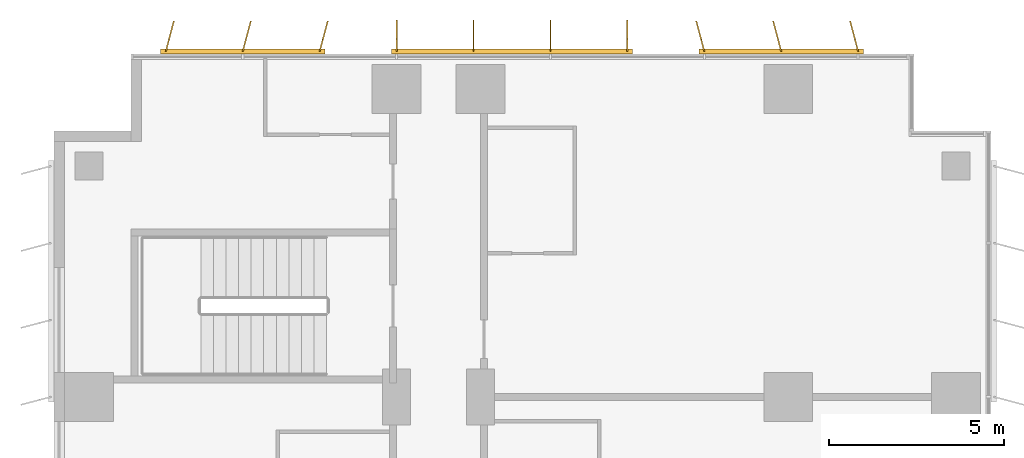
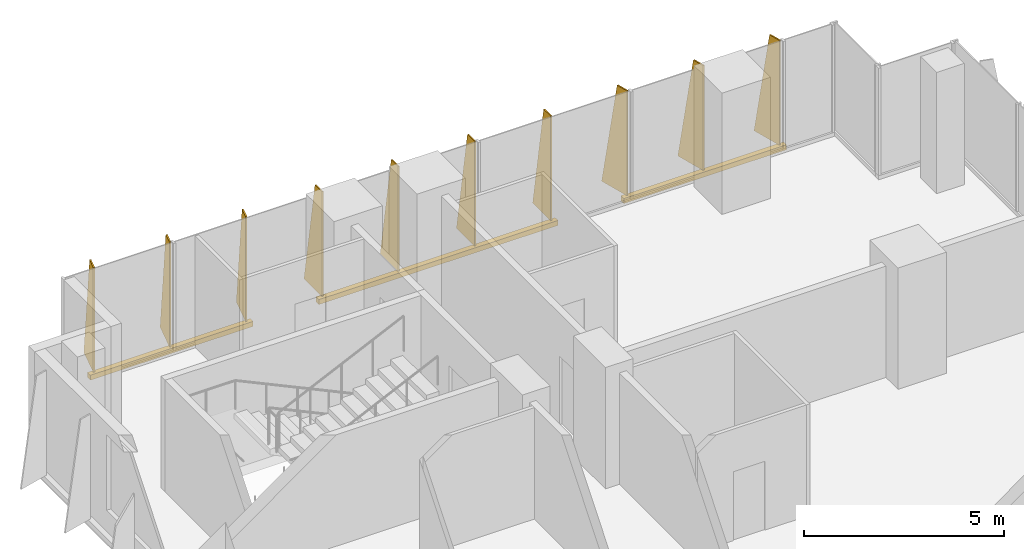
# One storey, part 24 of 24: 3 shading devices.
"""IFC4 building model written with IfcOpenShell, lengths in metres."""

import ifcopenshell
import ifcopenshell.guid

model = None  # the IFC model being written
_history = None  # IfcOwnerHistory: only IFC2X3 demands one
_inside = {}  # id of a spatial element -> (the spatial element, [elements in it])
_under = {}  # id of a project, library or spatial element -> (it, [spatial elements below it])
_declared = {}  # id of a project -> (the project, [libraries it declares])
_typed = {}  # id of a type object -> (the type object, [elements of that type])
_made_of = {}  # id of a material, layer set ... -> (it, [elements and type objects made of it])


def new_model(schema):
    """Start an empty IFC model of exactly this schema.

    Asked for "IFC4X3", IfcOpenShell would pick the latest addendum, in which some entities
    have other attributes; the version numbers below select the first issue.
    IFC2X3 requires an IfcOwnerHistory on every rooted entity: one is made here for all.
    """
    global model, _history
    if schema == "IFC4X3":
        model = ifcopenshell.file(schema_version=(4, 3, 0, 0))
    else:
        model = ifcopenshell.file(schema=schema)
    _inside.clear()
    _under.clear()
    _declared.clear()
    _typed.clear()
    _made_of.clear()
    _history = None
    if model.schema == "IFC2X3":
        org = make("IfcOrganization", Name="unknown")
        user = make(
            "IfcPersonAndOrganization",
            ThePerson=make("IfcPerson", FamilyName="unknown"),
            TheOrganization=org,
        )
        app = make(
            "IfcApplication",
            ApplicationDeveloper=org,
            Version="unknown",
            ApplicationFullName="unknown",
            ApplicationIdentifier="unknown",
        )
        _history = make(
            "IfcOwnerHistory",
            OwningUser=user,
            OwningApplication=app,
            ChangeAction="ADDED",
            CreationDate=0,
        )
    return model


def make(cls, **values):
    """One entity of the class cls with the attributes given. An attribute that is None is left unset."""
    return model.create_entity(
        cls, **{name: value for name, value in values.items() if value is not None}
    )


def rooted(cls, **values):
    """An entity with a GlobalId (a new one), such as an element, a storey or a relation."""
    return make(cls, GlobalId=ifcopenshell.guid.new(), OwnerHistory=_history, **values)


def si_unit(unit_type, name, prefix=None):
    """IfcSIUnit, for example si_unit("LENGTHUNIT", "METRE", prefix="MILLI")."""
    return make("IfcSIUnit", UnitType=unit_type, Prefix=prefix, Name=name)


def assignment(units):
    """IfcUnitAssignment: the units of a project."""
    return None if units is None else make("IfcUnitAssignment", Units=units)


def point(xyz):
    """IfcCartesianPoint."""
    return None if xyz is None else make("IfcCartesianPoint", Coordinates=xyz)


def direction(xyz):
    """IfcDirection."""
    return None if xyz is None else make("IfcDirection", DirectionRatios=xyz)


def frame(location, z_axis=None, x_axis=None):
    """IfcAxis2Placement3D, a coordinate frame: its origin and axes. An axis left out is left unset."""
    return make(
        "IfcAxis2Placement3D",
        Location=point(location),
        Axis=direction(z_axis),
        RefDirection=direction(x_axis),
    )


def frame_2d(location, x_axis=None):
    """IfcAxis2Placement2D, a coordinate frame in the plane: its origin and x axis."""
    return make(
        "IfcAxis2Placement2D", Location=point(location), RefDirection=direction(x_axis)
    )


def origin():
    """The frame at (0, 0, 0) with its axes left unset."""
    return frame((0.0, 0.0, 0.0))


def origin_2d():
    """The frame at (0, 0) in the plane with its x axis left unset."""
    return frame_2d((0.0, 0.0))


def place(relative_to, where):
    """IfcLocalPlacement: puts the frame where relative to a parent placement (None: the world)."""
    return make(
        "IfcLocalPlacement", PlacementRelTo=relative_to, RelativePlacement=where
    )


def context(
    kind, dimensions, precision=None, world=None, true_north=None, identifier=None
):
    """IfcGeometricRepresentationContext, for example the 3D "Model" context."""
    return make(
        "IfcGeometricRepresentationContext",
        ContextIdentifier=identifier,
        ContextType=kind,
        CoordinateSpaceDimension=dimensions,
        Precision=precision,
        WorldCoordinateSystem=world,
        TrueNorth=true_north,
    )


def subcontext(parent, identifier, kind, view, scale=None):
    """IfcGeometricRepresentationSubContext, for example "Body" below "Model"."""
    return make(
        "IfcGeometricRepresentationSubContext",
        ContextIdentifier=identifier,
        ContextType=kind,
        ParentContext=parent,
        TargetScale=scale,
        TargetView=view,
    )


def project(units=None, contexts=None):
    """IfcProject with its units and contexts."""
    return rooted(
        "IfcProject",
        Name="project",
        RepresentationContexts=contexts,
        UnitsInContext=assignment(units),
    )


def spatial(cls, under=None, at=None, **own):
    """A site, building, storey or space (cls), placed at a placement, below another one or the project."""
    s = rooted(cls, ObjectPlacement=at, **own)
    if under is not None:
        _under.setdefault(under.id(), (under, []))[1].append(s)
    return s


def polyline(points):
    """IfcPolyline through the points."""
    return make("IfcPolyline", Points=[point(p) for p in points])


def profile(cls, at=None, kind="AREA", **sizes):
    """A parametric profile (cls). Its sizes go by their IFC names, for example OverallWidth=200.0."""
    return make(cls, ProfileType=kind, Position=at, **sizes)


def rectangle(**sizes):
    """IfcRectangleProfileDef."""
    return profile("IfcRectangleProfileDef", **sizes)


def outline(outer, holes=None, kind="AREA"):
    """IfcArbitraryClosedProfileDef: a profile drawn as a closed curve; with holes, ...WithVoids."""
    if holes is None:
        return make("IfcArbitraryClosedProfileDef", ProfileType=kind, OuterCurve=outer)
    return make(
        "IfcArbitraryProfileDefWithVoids",
        ProfileType=kind,
        OuterCurve=outer,
        InnerCurves=holes,
    )


def extrude(swept, where, along, depth):
    """IfcExtrudedAreaSolid: the profile swept, set in the frame where, extruded along a direction by depth."""
    return make(
        "IfcExtrudedAreaSolid",
        SweptArea=swept,
        Position=where,
        ExtrudedDirection=direction(along),
        Depth=depth,
    )


def shape(context_of_items, identifier, shape_type, items):
    """IfcShapeRepresentation: the items that make up one representation, for example the "Body"."""
    return make(
        "IfcShapeRepresentation",
        ContextOfItems=context_of_items,
        RepresentationIdentifier=identifier,
        RepresentationType=shape_type,
        Items=items,
    )


def source(mapping_origin, context_of_items, identifier, shape_type, items):
    """IfcRepresentationMap: a shape defined once, which mapped items show again and again."""
    return make(
        "IfcRepresentationMap",
        MappingOrigin=mapping_origin,
        MappedRepresentation=shape(context_of_items, identifier, shape_type, items),
    )


def transform(
    local_origin,
    x_axis=None,
    y_axis=None,
    z_axis=None,
    scale=None,
    scale2=None,
    scale3=None,
    uniform=True,
):
    """IfcCartesianTransformationOperator3D, or its non-uniform kind. x_axis, y_axis, z_axis: its Axis1, 2, 3."""
    if uniform:
        return make(
            "IfcCartesianTransformationOperator3D",
            Axis1=direction(x_axis),
            Axis2=direction(y_axis),
            LocalOrigin=point(local_origin),
            Scale=scale,
            Axis3=direction(z_axis),
        )
    return make(
        "IfcCartesianTransformationOperator3DnonUniform",
        Axis1=direction(x_axis),
        Axis2=direction(y_axis),
        LocalOrigin=point(local_origin),
        Scale=scale,
        Axis3=direction(z_axis),
        Scale2=scale2,
        Scale3=scale3,
    )


def mapped(mapping_source, mapping_target):
    """IfcMappedItem: shows the shape of a source again, moved by a transform."""
    return make(
        "IfcMappedItem", MappingSource=mapping_source, MappingTarget=mapping_target
    )


def material(Name=None, Category=None):
    """IfcMaterial."""
    return make("IfcMaterial", Name=Name, Category=Category)


def layer(
    of_material, thickness, ventilated=None, Name=None, Category=None, Priority=None
):
    """IfcMaterialLayer: one layer of a wall or slab, of a material (None: an air gap)."""
    return make(
        "IfcMaterialLayer",
        Material=of_material,
        LayerThickness=thickness,
        IsVentilated=ventilated,
        Name=Name,
        Category=Category,
        Priority=Priority,
    )


def layer_set(layers, Name=None):
    """IfcMaterialLayerSet."""
    return make("IfcMaterialLayerSet", MaterialLayers=layers, LayerSetName=Name)


def made_of(thing, what):
    """Note that an element or type object is made of a material, layer set ...; save() writes the relation."""
    if what is not None:
        _made_of.setdefault(what.id(), (what, []))[1].append(thing)
    return thing


def type_object(cls, material=None, **own):
    """A type object (cls), such as IfcWallType, which elements share."""
    return made_of(rooted(cls, **own), material)


def element(
    cls,
    number,
    at=None,
    inside=None,
    cuts=None,
    type_object=None,
    material=None,
    context=None,
    identifier="Body",
    shape_type=None,
    held_by="IfcProductDefinitionShape",
    body=None,
    shapes=None,
    **own,
):
    """One element of the class cls, such as IfcWall. Its Tag is "e" and its number.

    at: its placement. inside: the storey or other place that contains it. cuts: it is an
    opening in that element (IfcRelVoidsElement). A single representation is given by context,
    identifier, shape_type and body (its items); several are given by shapes. held_by: the class
    of the entity that holds the representations. save() writes the other relations.
    """
    e = rooted(cls, Tag="e%d" % number, ObjectPlacement=at, **own)
    if body is not None:
        shapes = [shape(context, identifier, shape_type, body)]
    if shapes is not None:
        e.Representation = make(held_by, Representations=shapes)
    if inside is not None:
        _inside.setdefault(inside.id(), (inside, []))[1].append(e)
    if cuts is not None:
        rooted(
            "IfcRelVoidsElement", RelatingBuildingElement=cuts, RelatedOpeningElement=e
        )
    if type_object is not None:
        _typed.setdefault(type_object.id(), (type_object, []))[1].append(e)
    return made_of(e, material)


def aggregate(whole, parts):
    """IfcRelAggregates: a whole, such as a stair, and the parts it consists of."""
    return rooted("IfcRelAggregates", RelatingObject=whole, RelatedObjects=parts)


def save(model, path):
    """Write the relations noted so far, then the file.

    IfcRelAggregates (storeys below a building ...), IfcRelContainedInSpatialStructure (elements
    in a storey), IfcRelDefinesByType, IfcRelAssociatesMaterial and IfcRelDeclares: one each for
    every whole, place, type object, material and project.
    """
    for whole, parts in _under.values():
        aggregate(whole, parts)
    for where, things in _inside.values():
        rooted(
            "IfcRelContainedInSpatialStructure",
            RelatedElements=things,
            RelatingStructure=where,
        )
    for kind, things in _typed.values():
        rooted("IfcRelDefinesByType", RelatedObjects=things, RelatingType=kind)
    for what, things in _made_of.values():
        rooted("IfcRelAssociatesMaterial", RelatedObjects=things, RelatingMaterial=what)
    for by, libraries in _declared.values():
        rooted("IfcRelDeclares", RelatingContext=by, RelatedDefinitions=libraries)
    model.write(path)


model = new_model("IFC4")

# Units and contexts
model_context = context("Model", 3, precision=1e-05, world=origin(), true_north=direction((0.0, 1.0)))
body_context = subcontext(model_context, "Body", "Model", "MODEL_VIEW")
ifc_project = project(units=[si_unit("LENGTHUNIT", "METRE"), si_unit("AREAUNIT", "SQUARE_METRE"), si_unit("VOLUMEUNIT", "CUBIC_METRE"), si_unit("PLANEANGLEUNIT", "RADIAN"), si_unit("MASSUNIT", "GRAM", prefix="KILO")], contexts=[model_context])

# Site, building, storey
site_placement = place(None, origin())
site = spatial("IfcSite", under=ifc_project, at=site_placement, CompositionType="ELEMENT")
building_placement = place(site_placement, origin())
building = spatial("IfcBuilding", under=site, at=building_placement, Name="Kemantara Hotel Tower", CompositionType="ELEMENT")
storey_placement = place(building_placement, frame((0.0, 0.0, 63.60009765625)))
storey = spatial("IfcBuildingStorey", under=building, at=storey_placement, Name="L14", CompositionType="ELEMENT", Elevation=63.60009765625)

# Shading devices
ifc_material = material(Name="Perforated aluminium plate 4 mm bronze anodised", Category="aluminium")
ifc_layer_1 = layer(ifc_material, 0.0400390625)
ifc_layer_set_1 = layer_set([ifc_layer_1], Name="Perforated aluminium plate 4 mm bronze anodised")
shading_device_type_1 = type_object("IfcShadingDeviceType", Name="SCREEN FIN CASSETTE, 3 BLADES AT -15.0 DEG, 3200 HIGH", PredefinedType="USERDEFINED", material=ifc_layer_set_1)
shared_shape_1 = source(origin(), body_context, "Body", "SweptSolid", [
    extrude(rectangle(XDim=4.699951171875, YDim=0.14990234375, at=origin_2d()), frame((2.199951171875, -0.074951171875, -0.14990234375), z_axis=(0.0, 0.0, 1.0), x_axis=(1.0, 0.0, 0.0)), (0.0, 0.0, 1.0), 0.14990234375),
    extrude(outline(polyline([(0.0, 0.0), (0.89990234375, 0.0), (0.35009765625, 3.199951171875), (0.0, 3.199951171875), (0.0, 0.0)])), frame((0.019287109375, -0.080078125, 0.0), z_axis=(-0.966437683387, 0.256901156343, 0.0), x_axis=(-0.256901156343, -0.966437683387, 0.0)), (0.0, 0.0, 1.0), 0.039794921875),
    extrude(outline(polyline([(0.0, 0.0), (0.89990234375, 0.0), (0.35009765625, 3.199951171875), (0.0, 3.199951171875), (0.0, 0.0)])), frame((2.21923828125, -0.080078125, 0.0), z_axis=(-0.966437683387, 0.256901156343, 0.0), x_axis=(-0.256901156343, -0.966437683387, 0.0)), (0.0, 0.0, 1.0), 0.039794921875),
    extrude(outline(polyline([(0.0, 0.0), (0.89990234375, 0.0), (0.35009765625, 3.199951171875), (0.0, 3.199951171875), (0.0, 0.0)])), frame((4.41943359375, -0.080078125, 0.0), z_axis=(-0.966837822169, 0.255391122837, 0.0), x_axis=(-0.255391122837, -0.966837822169, 0.0)), (0.0, 0.0, 1.0), 0.0400390625),
])
shading_device_1_placement = place(storey_placement, frame((7.60009765625, 81.199951171875, 0.099853515625), z_axis=(0.0, 0.0, 1.0), x_axis=(-1.0, 0.0, 0.0)))
element("IfcShadingDevice", 1, at=shading_device_1_placement, inside=storey, type_object=shading_device_type_1, Name="SCREEN FIN CASSETTE L14 T1-R11-3", ObjectType="SCREEN FIN", PredefinedType="USERDEFINED", context=body_context, shape_type="MappedRepresentation", body=[
    mapped(shared_shape_1, transform((0.0, 0.0, 0.0))),
])
ifc_layer_2 = layer(ifc_material, 0.0400390625)
ifc_layer_set_2 = layer_set([ifc_layer_2], Name="Perforated aluminium plate 4 mm bronze anodised")
shading_device_type_2 = type_object("IfcShadingDeviceType", Name="SCREEN FIN CASSETTE, 4 BLADES AT +0.0 DEG, 3200 HIGH", PredefinedType="USERDEFINED", material=ifc_layer_set_2)
shared_shape_2 = source(origin(), body_context, "Body", "SweptSolid", [
    extrude(rectangle(XDim=6.89990234375, YDim=0.14990234375, at=origin_2d()), frame((3.300048828125, -0.074951171875, -0.14990234375), z_axis=(0.0, 0.0, 1.0), x_axis=(1.0, 0.0, 0.0)), (0.0, 0.0, 1.0), 0.14990234375),
    extrude(outline(polyline([(0.0, 0.0), (0.89990234375, 0.0), (0.35009765625, 3.199951171875), (0.0, 3.199951171875), (0.0, 0.0)])), frame((0.02001953125, -0.074951171875, 0.0), z_axis=(-1.0, 0.0, 0.0), x_axis=(0.0, -1.0, 0.0)), (0.0, 0.0, 1.0), 0.0400390625),
    extrude(outline(polyline([(0.0, 0.0), (0.89990234375, 0.0), (0.35009765625, 3.199951171875), (0.0, 3.199951171875), (0.0, 0.0)])), frame((2.219970703125, -0.074951171875, 0.0), z_axis=(-1.0, 0.0, 0.0), x_axis=(0.0, -1.0, 0.0)), (0.0, 0.0, 1.0), 0.0400390625),
    extrude(outline(polyline([(0.0, 0.0), (0.89990234375, 0.0), (0.35009765625, 3.199951171875), (0.0, 3.199951171875), (0.0, 0.0)])), frame((4.419921875, -0.074951171875, 0.0), z_axis=(-1.0, 0.0, 0.0), x_axis=(0.0, -1.0, 0.0)), (0.0, 0.0, 1.0), 0.0400390625),
    extrude(outline(polyline([(0.0, 0.0), (0.89990234375, 0.0), (0.35009765625, 3.199951171875), (0.0, 3.199951171875), (0.0, 0.0)])), frame((6.6201171875, -0.074951171875, 0.0), z_axis=(-1.0, 0.0, 0.0), x_axis=(0.0, -1.0, 0.0)), (0.0, 0.0, 1.0), 0.0400390625),
])
shading_device_2_placement = place(storey_placement, frame((16.39990234375, 81.199951171875, 0.099853515625), z_axis=(0.0, 0.0, 1.0), x_axis=(-1.0, 0.0, 0.0)))
element("IfcShadingDevice", 2, at=shading_device_2_placement, inside=storey, type_object=shading_device_type_2, Name="SCREEN FIN CASSETTE L14 T1-R11-2", ObjectType="SCREEN FIN", PredefinedType="USERDEFINED", context=body_context, shape_type="MappedRepresentation", body=[
    mapped(shared_shape_2, transform((0.0, 0.0, 0.0))),
])
ifc_layer_3 = layer(ifc_material, 0.0400390625)
ifc_layer_set_3 = layer_set([ifc_layer_3], Name="Perforated aluminium plate 4 mm bronze anodised")
shading_device_type_3 = type_object("IfcShadingDeviceType", Name="SCREEN FIN CASSETTE, 3 BLADES AT +15.0 DEG, 3200 HIGH", PredefinedType="USERDEFINED", material=ifc_layer_set_3)
shared_shape_3 = source(origin(), body_context, "Body", "SweptSolid", [
    extrude(rectangle(XDim=4.699951171875, YDim=0.14990234375, at=origin_2d()), frame((2.199951171875, -0.074951171875, -0.14990234375), z_axis=(0.0, 0.0, 1.0), x_axis=(1.0, 0.0, 0.0)), (0.0, 0.0, 1.0), 0.14990234375),
    extrude(outline(polyline([(0.0, 0.0), (0.89990234375, 0.0), (0.35009765625, 3.199951171875), (0.0, 3.199951171875), (0.0, 0.0)])), frame((0.019287109375, -0.06982421875, 0.0), z_axis=(-0.966437683387, -0.256901156343, 0.0), x_axis=(0.256901156343, -0.966437683387, 0.0)), (0.0, 0.0, 1.0), 0.039794921875),
    extrude(outline(polyline([(0.0, 0.0), (0.89990234375, 0.0), (0.35009765625, 3.199951171875), (0.0, 3.199951171875), (0.0, 0.0)])), frame((2.21923828125, -0.06982421875, 0.0), z_axis=(-0.966437683387, -0.256901156343, 0.0), x_axis=(0.256901156343, -0.966437683387, 0.0)), (0.0, 0.0, 1.0), 0.039794921875),
    extrude(outline(polyline([(0.0, 0.0), (0.89990234375, 0.0), (0.35009765625, 3.199951171875), (0.0, 3.199951171875), (0.0, 0.0)])), frame((4.41943359375, -0.06982421875, 0.0), z_axis=(-0.966837822169, -0.255391122837, 0.0), x_axis=(0.255391122837, -0.966837822169, 0.0)), (0.0, 0.0, 1.0), 0.0400390625),
])
shading_device_3_placement = place(storey_placement, frame((23.0, 81.199951171875, 0.099853515625), z_axis=(0.0, 0.0, 1.0), x_axis=(-1.0, 0.0, 0.0)))
element("IfcShadingDevice", 3, at=shading_device_3_placement, inside=storey, type_object=shading_device_type_3, Name="SCREEN FIN CASSETTE L14 T1-R11-1", ObjectType="SCREEN FIN", PredefinedType="USERDEFINED", context=body_context, shape_type="MappedRepresentation", body=[
    mapped(shared_shape_3, transform((0.0, 0.0, 0.0))),
])

save(model, "model.ifc")
